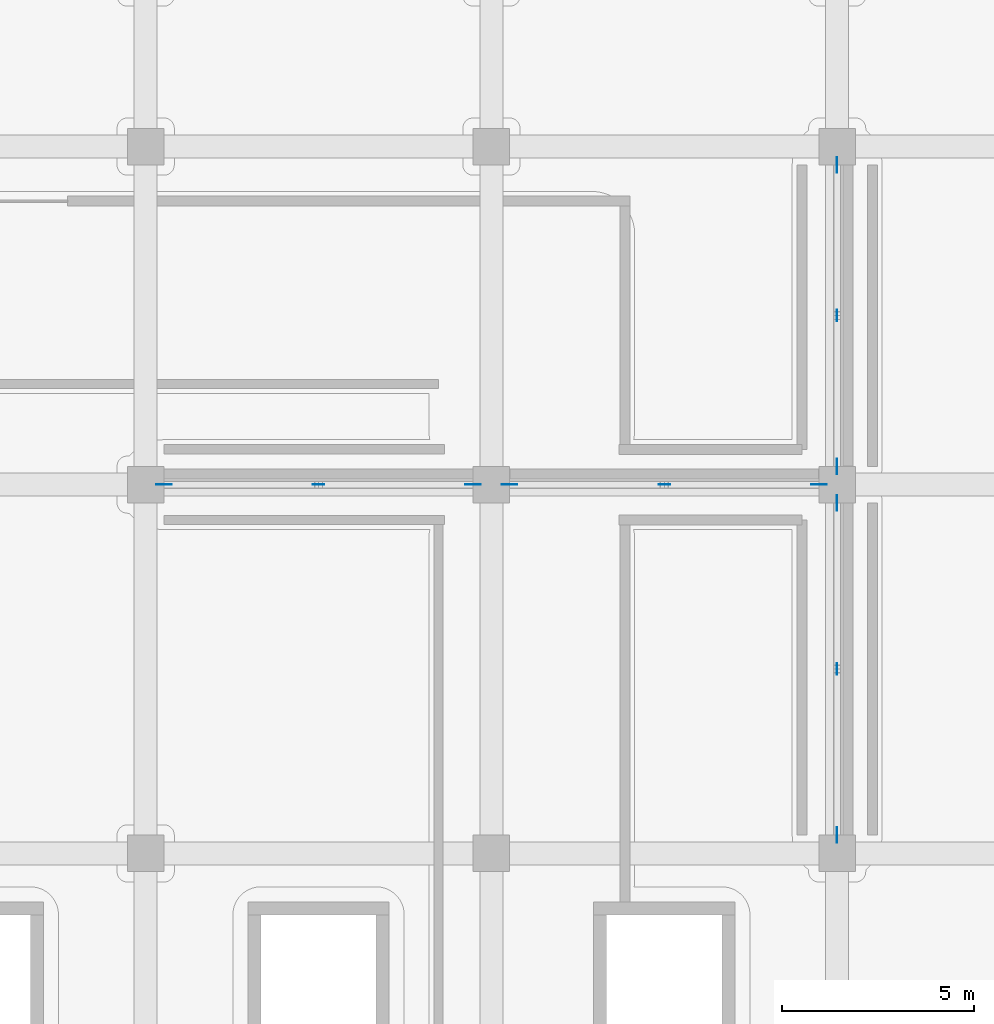
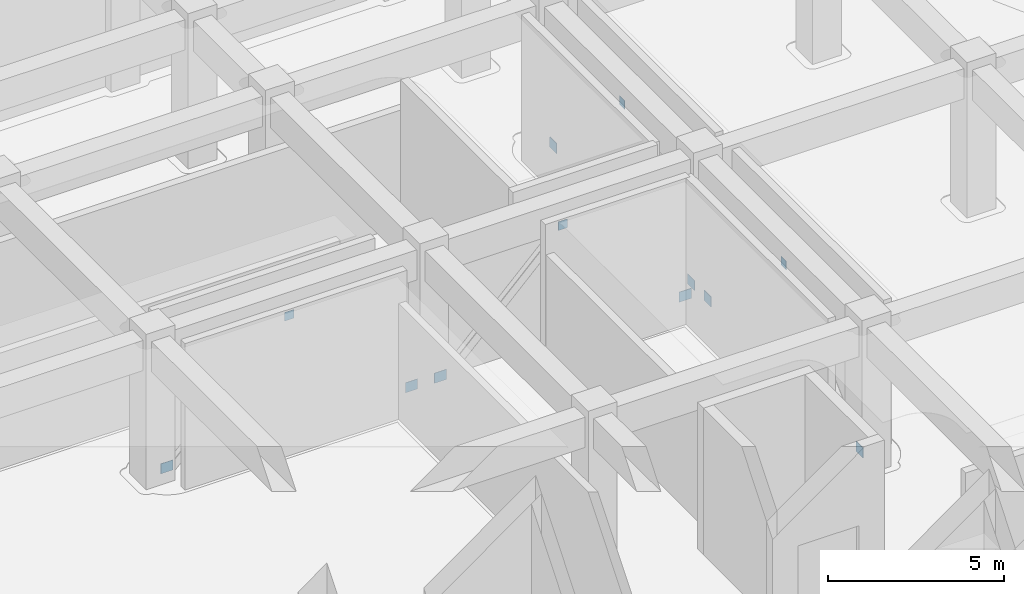
# One storey, part 26 of 74: 12 plates.
"""IFC4 building model written with IfcOpenShell, lengths in metres."""

from ifc_helpers import new_model, si_unit, direction, frame, origin, origin_2d, place, context, subcontext, project, spatial, rectangle, extrude, material, layer, layer_set, type_object, element, save


model = new_model("IFC4")

# Units and contexts
model_context = context("Model", 3, precision=1e-05, world=origin(), true_north=direction((0.0, 1.0)))
body_context = subcontext(model_context, "Body", "Model", "MODEL_VIEW")
ifc_project = project(units=[si_unit("LENGTHUNIT", "METRE"), si_unit("AREAUNIT", "SQUARE_METRE"), si_unit("VOLUMEUNIT", "CUBIC_METRE"), si_unit("PLANEANGLEUNIT", "RADIAN"), si_unit("MASSUNIT", "GRAM", prefix="KILO")], contexts=[model_context])

# Site, building, storey
site_placement = place(None, origin())
site = spatial("IfcSite", under=ifc_project, at=site_placement, CompositionType="ELEMENT")
building_placement = place(site_placement, origin())
building = spatial("IfcBuilding", under=site, at=building_placement, Name="Cendralis Terraced Arcade", CompositionType="ELEMENT")
storey_placement = place(building_placement, origin())
storey = spatial("IfcBuildingStorey", under=building, at=storey_placement, Name="L00", CompositionType="ELEMENT", Elevation=0.0)

# Plates
ifc_material = material(Name="Steel ASTM A572 Grade 50", Category="steel")
ifc_layer_1 = layer(ifc_material, 0.013916015625, Name="PLT-CAP-300x300x14")
ifc_layer_set_1 = layer_set([ifc_layer_1], Name="Steel ASTM A572 Grade 50")
plate_type_1 = type_object("IfcPlateType", Name="PLT-CAP-300x300x14", PredefinedType="SHEET", material=ifc_layer_set_1)
for number, where, z_axis, x_axis, name in (
    (1, (143.699951171875, 98.39990234375, 3.89013671875), (0.0, 0.0, 1.0), (1.0, 0.0, 0.0), "Chevron Brace Apex Gusset Plate L00-002"),
    (2, (152.699951171875, 98.39990234375, 3.89013671875), (0.0, 0.0, 1.0), (1.0, 0.0, 0.0), "Chevron Brace Apex Gusset Plate L00-010"),
    (3, (157.199951171875, 93.60009765625, 3.89013671875), (0.0, 0.0, 1.0), (0.0, 1.0, 0.0), "Chevron Brace Apex Gusset Plate L00-018"),
    (4, (157.199951171875, 102.800048828125, 3.89013671875), (0.0, 0.0, 1.0), (0.0, 1.0, 0.0), "Chevron Brace Apex Gusset Plate L00-026"),
):
    element("IfcPlate", number, at=place(storey_placement, frame(where, z_axis=z_axis, x_axis=x_axis)), inside=storey, type_object=plate_type_1, Name=name, PredefinedType="SHEET", context=body_context, shape_type="SweptSolid", body=[
        extrude(rectangle(XDim=0.300048828125, YDim=0.013916015625, at=origin_2d()), origin(), (0.0, 0.0, 1.0), 0.300048828125),
    ])
ifc_layer_2 = layer(ifc_material, 0.01611328125, Name="PLT-GUS-400x350x16")
ifc_layer_set_2 = layer_set([ifc_layer_2], Name="Steel ASTM A572 Grade 50")
plate_type_2 = type_object("IfcPlateType", Name="PLT-GUS-400x350x16", PredefinedType="SHEET", material=ifc_layer_set_2)
for number, where, z_axis, x_axis, name in (
    (5, (139.675048828125, 98.39990234375, 0.0048828125), (0.0, 0.0, 1.0), (1.0, 0.0, 0.0), "Chevron Brace Base Gusset Plate L00-002-1"),
    (6, (147.72509765625, 98.39990234375, 0.0048828125), (0.0, 0.0, 1.0), (1.0, 0.0, 0.0), "Chevron Brace Base Gusset Plate L00-002-2"),
    (7, (148.675048828125, 98.39990234375, 0.0048828125), (0.0, 0.0, 1.0), (1.0, 0.0, 0.0), "Chevron Brace Base Gusset Plate L00-010-1"),
    (8, (156.72509765625, 98.39990234375, 0.0048828125), (0.0, 0.0, 1.0), (1.0, 0.0, 0.0), "Chevron Brace Base Gusset Plate L00-010-2"),
    (9, (157.199951171875, 89.27490234375, 0.0048828125), (0.0, 0.0, 1.0), (0.0, 1.0, 0.0), "Chevron Brace Base Gusset Plate L00-018-1"),
    (10, (157.199951171875, 97.925048828125, 0.0048828125), (0.0, 0.0, 1.0), (0.0, 1.0, 0.0), "Chevron Brace Base Gusset Plate L00-018-2"),
    (11, (157.199951171875, 98.875, 0.0048828125), (0.0, 0.0, 1.0), (0.0, 1.0, 0.0), "Chevron Brace Base Gusset Plate L00-026-1"),
    (12, (157.199951171875, 106.72509765625, 0.0048828125), (0.0, 0.0, 1.0), (0.0, 1.0, 0.0), "Chevron Brace Base Gusset Plate L00-026-2"),
):
    element("IfcPlate", number, at=place(storey_placement, frame(where, z_axis=z_axis, x_axis=x_axis)), inside=storey, type_object=plate_type_2, Name=name, PredefinedType="SHEET", context=body_context, shape_type="SweptSolid", body=[
        extrude(rectangle(XDim=0.39990234375, YDim=0.01611328125, at=origin_2d()), origin(), (0.0, 0.0, 1.0), 0.35009765625),
    ])

save(model, "model.ifc")
